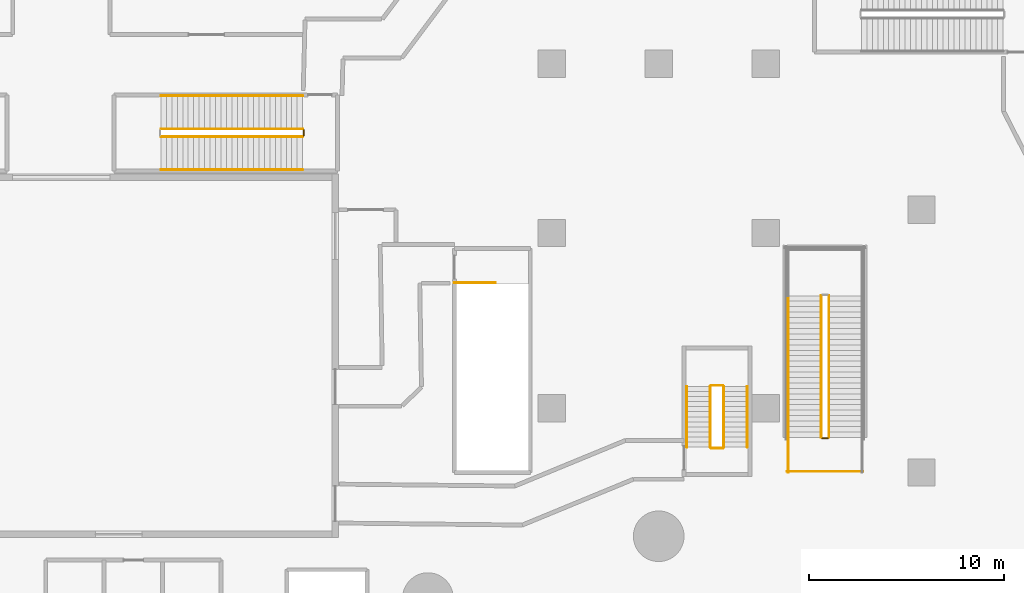
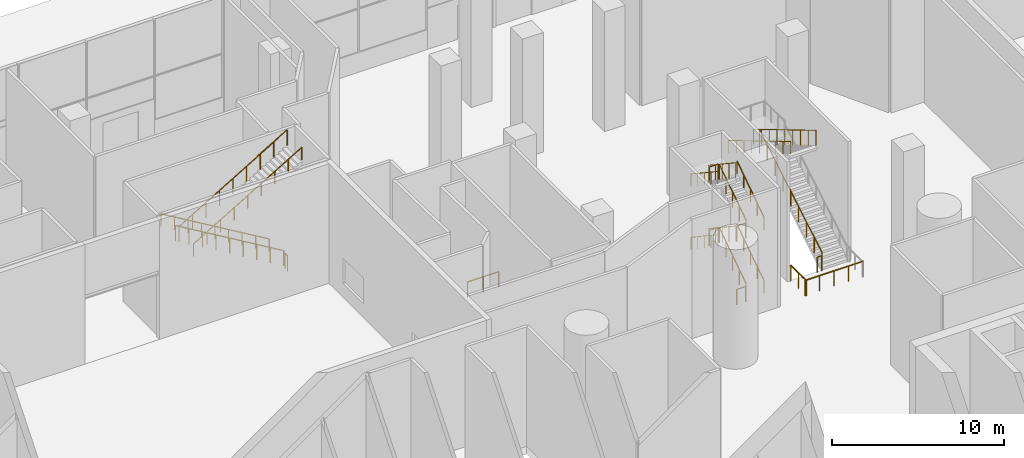
# One storey, part 48 of 54: 24 railings.
"""IFC4 building model written with IfcOpenShell, lengths in metres."""

from ifc_helpers import new_model, si_unit, direction, frame, origin, origin_2d, place, context, subcontext, project, spatial, circle, extrude, material, type_object, element, save


model = new_model("IFC4")

# Units and contexts
model_context = context("Model", 3, precision=1e-05, world=origin(), true_north=direction((0.0, 1.0)))
body_context = subcontext(model_context, "Body", "Model", "MODEL_VIEW")
ifc_project = project(units=[si_unit("LENGTHUNIT", "METRE"), si_unit("AREAUNIT", "SQUARE_METRE"), si_unit("VOLUMEUNIT", "CUBIC_METRE"), si_unit("PLANEANGLEUNIT", "RADIAN"), si_unit("MASSUNIT", "GRAM", prefix="KILO")], contexts=[model_context])

# Site, building, storey
site_placement = place(None, origin())
site = spatial("IfcSite", under=ifc_project, at=site_placement, CompositionType="ELEMENT")
building_placement = place(site_placement, origin())
building = spatial("IfcBuilding", under=site, at=building_placement, Name="Tamarind Cross Interchange Tower", CompositionType="ELEMENT")
storey_placement = place(building_placement, origin())
storey = spatial("IfcBuildingStorey", under=building, at=storey_placement, Name="L00", CompositionType="ELEMENT", Elevation=0.0)

# Railings
ifc_material_1 = material(Name="Public stair guard")
railing_type_1 = type_object("IfcRailingType", Name="Public stair guard", PredefinedType="GUARDRAIL", material=ifc_material_1)
railing_1_placement = place(storey_placement, frame((8.75, 28.800048828125, 0.166748046875)))
element("IfcRailing", 1, at=railing_1_placement, inside=storey, type_object=railing_type_1, Name="L00 PS-N stair guard 1", PredefinedType="GUARDRAIL", context=body_context, shape_type="SweptSolid", body=[
    extrude(circle(Radius=0.02392578125, at=origin_2d()), frame((0.0, 0.0, 1.076171875), z_axis=(0.0, 0.859298010897, 0.511475247171), x_axis=(-1.0, 0.0, 0.0)), (0.0, 0.0, 1.0), 8.47216796875),
    extrude(circle(Radius=0.02099609375, at=origin_2d()), origin(), (0.0, 0.0, 1.0), 1.052001953125),
    extrude(circle(Radius=0.02099609375, at=origin_2d()), frame((0.0, 0.909912109375, 0.541748046875)), (0.0, 0.0, 1.0), 1.052001953125),
    extrude(circle(Radius=0.02099609375, at=origin_2d()), frame((0.0, 1.820068359375, 1.083251953125)), (0.0, 0.0, 1.0), 1.052001953125),
    extrude(circle(Radius=0.02099609375, at=origin_2d()), frame((0.0, 2.72998046875, 1.625)), (0.0, 0.0, 1.0), 1.052001953125),
    extrude(circle(Radius=0.02099609375, at=origin_2d()), frame((0.0, 3.64013671875, 2.16650390625)), (0.0, 0.0, 1.0), 1.052001953125),
    extrude(circle(Radius=0.02099609375, at=origin_2d()), frame((0.0, 4.550048828125, 2.708251953125)), (0.0, 0.0, 1.0), 1.052001953125),
    extrude(circle(Radius=0.02099609375, at=origin_2d()), frame((0.0, 5.4599609375, 3.25)), (0.0, 0.0, 1.0), 1.052001953125),
    extrude(circle(Radius=0.02099609375, at=origin_2d()), frame((0.0, 6.3701171875, 3.79150390625)), (0.0, 0.0, 1.0), 1.052001953125),
    extrude(circle(Radius=0.02099609375, at=origin_2d()), frame((0.0, 7.280029296875, 4.333251953125)), (0.0, 0.0, 1.0), 1.052001953125),
])
railing_2_placement = place(storey_placement, frame((8.35009765625, 36.080078125, 4.666748046875)))
element("IfcRailing", 2, at=railing_2_placement, inside=storey, type_object=railing_type_1, Name="L00 PS-N stair guard 6", PredefinedType="GUARDRAIL", context=body_context, shape_type="SweptSolid", body=[
    extrude(circle(Radius=0.02392578125, at=origin_2d()), frame((0.0, 0.0, 1.076171875), z_axis=(0.0, -0.859298010897, 0.511475247171), x_axis=(1.0, 0.0, 0.0)), (0.0, 0.0, 1.0), 8.47216796875),
    extrude(circle(Radius=0.02099609375, at=origin_2d()), origin(), (0.0, 0.0, 1.0), 1.052001953125),
    extrude(circle(Radius=0.02099609375, at=origin_2d()), frame((0.0, -0.909912109375, 0.541748046875)), (0.0, 0.0, 1.0), 1.052001953125),
    extrude(circle(Radius=0.02099609375, at=origin_2d()), frame((0.0, -1.820068359375, 1.083251953125)), (0.0, 0.0, 1.0), 1.052001953125),
    extrude(circle(Radius=0.02099609375, at=origin_2d()), frame((0.0, -2.72998046875, 1.625)), (0.0, 0.0, 1.0), 1.052001953125),
    extrude(circle(Radius=0.02099609375, at=origin_2d()), frame((0.0, -3.64013671875, 2.16650390625)), (0.0, 0.0, 1.0), 1.052001953125),
    extrude(circle(Radius=0.02099609375, at=origin_2d()), frame((0.0, -4.550048828125, 2.708251953125)), (0.0, 0.0, 1.0), 1.052001953125),
    extrude(circle(Radius=0.02099609375, at=origin_2d()), frame((0.0, -5.4599609375, 3.25)), (0.0, 0.0, 1.0), 1.052001953125),
    extrude(circle(Radius=0.02099609375, at=origin_2d()), frame((0.0, -6.3701171875, 3.79150390625)), (0.0, 0.0, 1.0), 1.052001953125),
    extrude(circle(Radius=0.02099609375, at=origin_2d()), frame((0.0, -7.280029296875, 4.333251953125)), (0.0, 0.0, 1.0), 1.052001953125),
])
railing_3_placement = place(storey_placement, frame((8.699951171875, 28.75, 0.0)))
element("IfcRailing", 3, at=railing_3_placement, inside=storey, type_object=railing_type_1, Name="L00 PS-N stair guard 7", PredefinedType="GUARDRAIL", context=body_context, shape_type="SweptSolid", body=[
    extrude(circle(Radius=0.02392578125, at=origin_2d()), frame((0.0, 0.0, 1.076171875), z_axis=(-1.0, 0.0, 0.0), x_axis=(0.0, -1.0, 0.0)), (0.0, 0.0, 1.0), 0.300048828125),
    extrude(circle(Radius=0.02099609375, at=origin_2d()), origin(), (0.0, 0.0, 1.0), 1.052001953125),
    extrude(circle(Radius=0.02099609375, at=origin_2d()), frame((-0.300048828125, 0.0, 0.0)), (0.0, 0.0, 1.0), 1.052001953125),
])
railing_4_placement = place(storey_placement, frame((6.64990234375, 27.0, 0.0)))
element("IfcRailing", 4, at=railing_4_placement, inside=storey, type_object=railing_type_1, Name="L00 PS-N stair guard 9", PredefinedType="GUARDRAIL", context=body_context, shape_type="SweptSolid", body=[
    extrude(circle(Radius=0.02392578125, at=origin_2d()), frame((0.0, 0.0, 1.076171875), z_axis=(0.0, 1.0, 0.0), x_axis=(-1.0, 0.0, 0.0)), (0.0, 0.0, 1.0), 1.800048828125),
    extrude(circle(Radius=0.02099609375, at=origin_2d()), origin(), (0.0, 0.0, 1.0), 1.052001953125),
    extrude(circle(Radius=0.02099609375, at=origin_2d()), frame((0.0, 0.89990234375, 0.0)), (0.0, 0.0, 1.0), 1.052001953125),
    extrude(circle(Radius=0.02099609375, at=origin_2d()), frame((0.0, 1.800048828125, 0.0)), (0.0, 0.0, 1.0), 1.052001953125),
])
railing_5_placement = place(storey_placement, frame((10.5, 27.050048828125, 0.0)))
element("IfcRailing", 5, at=railing_5_placement, inside=storey, type_object=railing_type_1, Name="L00 PS-N stair guard 10", PredefinedType="GUARDRAIL", context=body_context, shape_type="SweptSolid", body=[
    extrude(circle(Radius=0.02392578125, at=origin_2d()), frame((0.0, 0.0, 1.076171875), z_axis=(-1.0, 0.0, 0.0), x_axis=(0.0, -1.0, 0.0)), (0.0, 0.0, 1.0), 3.89990234375),
    extrude(circle(Radius=0.02099609375, at=origin_2d()), origin(), (0.0, 0.0, 1.0), 1.052001953125),
    extrude(circle(Radius=0.02099609375, at=origin_2d()), frame((-0.97509765625, 0.0, 0.0)), (0.0, 0.0, 1.0), 1.052001953125),
    extrude(circle(Radius=0.02099609375, at=origin_2d()), frame((-1.949951171875, 0.0, 0.0)), (0.0, 0.0, 1.0), 1.052001953125),
    extrude(circle(Radius=0.02099609375, at=origin_2d()), frame((-2.9248046875, 0.0, 0.0)), (0.0, 0.0, 1.0), 1.052001953125),
    extrude(circle(Radius=0.02099609375, at=origin_2d()), frame((-3.89990234375, 0.0, 0.0)), (0.0, 0.0, 1.0), 1.052001953125),
])
railing_6_placement = place(storey_placement, frame((-18.300048828125, 44.64990234375, 0.166748046875)))
element("IfcRailing", 6, at=railing_6_placement, inside=storey, type_object=railing_type_1, Name="L00 XS-P06 stair guard 1", PredefinedType="GUARDRAIL", context=body_context, shape_type="SweptSolid", body=[
    extrude(circle(Radius=0.02392578125, at=origin_2d()), frame((0.0, 0.0, 1.076171875), z_axis=(-0.859298010897, 0.0, 0.511475247171), x_axis=(0.0, -1.0, 0.0)), (0.0, 0.0, 1.0), 8.47216796875),
    extrude(circle(Radius=0.02099609375, at=origin_2d()), origin(), (0.0, 0.0, 1.0), 1.052001953125),
    extrude(circle(Radius=0.02099609375, at=origin_2d()), frame((-0.909912109375, 0.0, 0.541748046875)), (0.0, 0.0, 1.0), 1.052001953125),
    extrude(circle(Radius=0.02099609375, at=origin_2d()), frame((-1.820068359375, 0.0, 1.083251953125)), (0.0, 0.0, 1.0), 1.052001953125),
    extrude(circle(Radius=0.02099609375, at=origin_2d()), frame((-2.72998046875, 0.0, 1.625)), (0.0, 0.0, 1.0), 1.052001953125),
    extrude(circle(Radius=0.02099609375, at=origin_2d()), frame((-3.64013671875, 0.0, 2.16650390625)), (0.0, 0.0, 1.0), 1.052001953125),
    extrude(circle(Radius=0.02099609375, at=origin_2d()), frame((-4.550048828125, 0.0, 2.708251953125)), (0.0, 0.0, 1.0), 1.052001953125),
    extrude(circle(Radius=0.02099609375, at=origin_2d()), frame((-5.4599609375, 0.0, 3.25)), (0.0, 0.0, 1.0), 1.052001953125),
    extrude(circle(Radius=0.02099609375, at=origin_2d()), frame((-6.3701171875, 0.0, 3.79150390625)), (0.0, 0.0, 1.0), 1.052001953125),
    extrude(circle(Radius=0.02099609375, at=origin_2d()), frame((-7.280029296875, 0.0, 4.333251953125)), (0.0, 0.0, 1.0), 1.052001953125),
])
railing_7_placement = place(storey_placement, frame((-25.580078125, 44.25, 4.666748046875)))
element("IfcRailing", 7, at=railing_7_placement, inside=storey, type_object=railing_type_1, Name="L00 XS-P06 stair guard 3", PredefinedType="GUARDRAIL", context=body_context, shape_type="SweptSolid", body=[
    extrude(circle(Radius=0.02392578125, at=origin_2d()), frame((0.0, 0.0, 1.076171875), z_axis=(0.859298010897, 0.0, 0.511475247171), x_axis=(0.0, 1.0, 0.0)), (0.0, 0.0, 1.0), 8.47216796875),
    extrude(circle(Radius=0.02099609375, at=origin_2d()), origin(), (0.0, 0.0, 1.0), 1.052001953125),
    extrude(circle(Radius=0.02099609375, at=origin_2d()), frame((0.909912109375, 0.0, 0.541748046875)), (0.0, 0.0, 1.0), 1.052001953125),
    extrude(circle(Radius=0.02099609375, at=origin_2d()), frame((1.820068359375, 0.0, 1.083251953125)), (0.0, 0.0, 1.0), 1.052001953125),
    extrude(circle(Radius=0.02099609375, at=origin_2d()), frame((2.72998046875, 0.0, 1.625)), (0.0, 0.0, 1.0), 1.052001953125),
    extrude(circle(Radius=0.02099609375, at=origin_2d()), frame((3.64013671875, 0.0, 2.16650390625)), (0.0, 0.0, 1.0), 1.052001953125),
    extrude(circle(Radius=0.02099609375, at=origin_2d()), frame((4.550048828125, 0.0, 2.708251953125)), (0.0, 0.0, 1.0), 1.052001953125),
    extrude(circle(Radius=0.02099609375, at=origin_2d()), frame((5.4599609375, 0.0, 3.25)), (0.0, 0.0, 1.0), 1.052001953125),
    extrude(circle(Radius=0.02099609375, at=origin_2d()), frame((6.3701171875, 0.0, 3.79150390625)), (0.0, 0.0, 1.0), 1.052001953125),
    extrude(circle(Radius=0.02099609375, at=origin_2d()), frame((7.280029296875, 0.0, 4.333251953125)), (0.0, 0.0, 1.0), 1.052001953125),
])
railing_8_placement = place(storey_placement, frame((-18.25, 44.60009765625, 0.0)))
element("IfcRailing", 8, at=railing_8_placement, inside=storey, type_object=railing_type_1, Name="L00 XS-P06 stair guard 4", PredefinedType="GUARDRAIL", context=body_context, shape_type="SweptSolid", body=[
    extrude(circle(Radius=0.02392578125, at=origin_2d()), frame((0.0, 0.0, 1.076171875), z_axis=(0.0, -1.0, 0.0), x_axis=(1.0, 0.0, 0.0)), (0.0, 0.0, 1.0), 0.300048828125),
    extrude(circle(Radius=0.02099609375, at=origin_2d()), origin(), (0.0, 0.0, 1.0), 1.052001953125),
    extrude(circle(Radius=0.02099609375, at=origin_2d()), frame((0.0, -0.300048828125, 0.0)), (0.0, 0.0, 1.0), 1.052001953125),
])
railing_9_placement = place(storey_placement, frame((-10.5, 36.75, 0.0)))
element("IfcRailing", 9, at=railing_9_placement, inside=storey, type_object=railing_type_1, Name="L00 XS-P13 top well guard 1", PredefinedType="GUARDRAIL", context=body_context, shape_type="SweptSolid", body=[
    extrude(circle(Radius=0.02392578125, at=origin_2d()), frame((0.0, 0.0, 1.076171875), z_axis=(1.0, 0.0, 0.0), x_axis=(0.0, 1.0, 0.0)), (0.0, 0.0, 1.0), 2.10009765625),
    extrude(circle(Radius=0.02099609375, at=origin_2d()), origin(), (0.0, 0.0, 1.0), 1.052001953125),
    extrude(circle(Radius=0.02099609375, at=origin_2d()), frame((1.050048828125, 0.0, 0.0)), (0.0, 0.0, 1.0), 1.052001953125),
    extrude(circle(Radius=0.02099609375, at=origin_2d()), frame((2.10009765625, 0.0, 0.0)), (0.0, 0.0, 1.0), 1.052001953125),
])
ifc_material_2 = material(Name="Public stair handrail")
railing_type_2 = type_object("IfcRailingType", Name="Public stair handrail", PredefinedType="HANDRAIL", material=ifc_material_2)
railing_10_placement = place(storey_placement, frame((6.64990234375, 36.080078125, 4.666748046875)))
element("IfcRailing", 10, at=railing_10_placement, inside=storey, type_object=railing_type_2, Name="L00 PS-N stair handrail 2", PredefinedType="HANDRAIL", context=body_context, shape_type="SweptSolid", body=[
    extrude(circle(Radius=0.02392578125, at=origin_2d()), frame((0.0, 0.0, 0.8759765625), z_axis=(0.0, -0.859298010897, 0.511475247171), x_axis=(1.0, 0.0, 0.0)), (0.0, 0.0, 1.0), 8.47216796875),
    extrude(circle(Radius=0.02099609375, at=origin_2d()), origin(), (0.0, 0.0, 1.0), 0.851806640625),
    extrude(circle(Radius=0.02099609375, at=origin_2d()), frame((0.0, -0.909912109375, 0.541748046875)), (0.0, 0.0, 1.0), 0.851806640625),
    extrude(circle(Radius=0.02099609375, at=origin_2d()), frame((0.0, -1.820068359375, 1.083251953125)), (0.0, 0.0, 1.0), 0.851806640625),
    extrude(circle(Radius=0.02099609375, at=origin_2d()), frame((0.0, -2.72998046875, 1.625)), (0.0, 0.0, 1.0), 0.851806640625),
    extrude(circle(Radius=0.02099609375, at=origin_2d()), frame((0.0, -3.64013671875, 2.16650390625)), (0.0, 0.0, 1.0), 0.851806640625),
    extrude(circle(Radius=0.02099609375, at=origin_2d()), frame((0.0, -4.550048828125, 2.708251953125)), (0.0, 0.0, 1.0), 0.851806640625),
    extrude(circle(Radius=0.02099609375, at=origin_2d()), frame((0.0, -5.4599609375, 3.25)), (0.0, 0.0, 1.0), 0.851806640625),
    extrude(circle(Radius=0.02099609375, at=origin_2d()), frame((0.0, -6.3701171875, 3.79150390625)), (0.0, 0.0, 1.0), 0.851806640625),
    extrude(circle(Radius=0.02099609375, at=origin_2d()), frame((0.0, -7.280029296875, 4.333251953125)), (0.0, 0.0, 1.0), 0.851806640625),
])
railing_11_placement = place(storey_placement, frame((-18.300048828125, 46.35009765625, 0.166748046875)))
element("IfcRailing", 11, at=railing_11_placement, inside=storey, type_object=railing_type_2, Name="L00 XS-P06 stair handrail 1", PredefinedType="HANDRAIL", context=body_context, shape_type="SweptSolid", body=[
    extrude(circle(Radius=0.02392578125, at=origin_2d()), frame((0.0, 0.0, 0.8759765625), z_axis=(-0.859298010897, 0.0, 0.511475247171), x_axis=(0.0, -1.0, 0.0)), (0.0, 0.0, 1.0), 8.47216796875),
    extrude(circle(Radius=0.02099609375, at=origin_2d()), origin(), (0.0, 0.0, 1.0), 0.851806640625),
    extrude(circle(Radius=0.02099609375, at=origin_2d()), frame((-0.909912109375, 0.0, 0.541748046875)), (0.0, 0.0, 1.0), 0.851806640625),
    extrude(circle(Radius=0.02099609375, at=origin_2d()), frame((-1.820068359375, 0.0, 1.083251953125)), (0.0, 0.0, 1.0), 0.851806640625),
    extrude(circle(Radius=0.02099609375, at=origin_2d()), frame((-2.72998046875, 0.0, 1.625)), (0.0, 0.0, 1.0), 0.851806640625),
    extrude(circle(Radius=0.02099609375, at=origin_2d()), frame((-3.64013671875, 0.0, 2.16650390625)), (0.0, 0.0, 1.0), 0.851806640625),
    extrude(circle(Radius=0.02099609375, at=origin_2d()), frame((-4.550048828125, 0.0, 2.708251953125)), (0.0, 0.0, 1.0), 0.851806640625),
    extrude(circle(Radius=0.02099609375, at=origin_2d()), frame((-5.4599609375, 0.0, 3.25)), (0.0, 0.0, 1.0), 0.851806640625),
    extrude(circle(Radius=0.02099609375, at=origin_2d()), frame((-6.3701171875, 0.0, 3.79150390625)), (0.0, 0.0, 1.0), 0.851806640625),
    extrude(circle(Radius=0.02099609375, at=origin_2d()), frame((-7.280029296875, 0.0, 4.333251953125)), (0.0, 0.0, 1.0), 0.851806640625),
])
railing_12_placement = place(storey_placement, frame((-25.580078125, 42.550048828125, 4.666748046875)))
element("IfcRailing", 12, at=railing_12_placement, inside=storey, type_object=railing_type_2, Name="L00 XS-P06 stair handrail 2", PredefinedType="HANDRAIL", context=body_context, shape_type="SweptSolid", body=[
    extrude(circle(Radius=0.02392578125, at=origin_2d()), frame((0.0, 0.0, 0.8759765625), z_axis=(0.859298010897, 0.0, 0.511475247171), x_axis=(0.0, 1.0, 0.0)), (0.0, 0.0, 1.0), 8.47216796875),
    extrude(circle(Radius=0.02099609375, at=origin_2d()), origin(), (0.0, 0.0, 1.0), 0.851806640625),
    extrude(circle(Radius=0.02099609375, at=origin_2d()), frame((0.909912109375, 0.0, 0.541748046875)), (0.0, 0.0, 1.0), 0.851806640625),
    extrude(circle(Radius=0.02099609375, at=origin_2d()), frame((1.820068359375, 0.0, 1.083251953125)), (0.0, 0.0, 1.0), 0.851806640625),
    extrude(circle(Radius=0.02099609375, at=origin_2d()), frame((2.72998046875, 0.0, 1.625)), (0.0, 0.0, 1.0), 0.851806640625),
    extrude(circle(Radius=0.02099609375, at=origin_2d()), frame((3.64013671875, 0.0, 2.16650390625)), (0.0, 0.0, 1.0), 0.851806640625),
    extrude(circle(Radius=0.02099609375, at=origin_2d()), frame((4.550048828125, 0.0, 2.708251953125)), (0.0, 0.0, 1.0), 0.851806640625),
    extrude(circle(Radius=0.02099609375, at=origin_2d()), frame((5.4599609375, 0.0, 3.25)), (0.0, 0.0, 1.0), 0.851806640625),
    extrude(circle(Radius=0.02099609375, at=origin_2d()), frame((6.3701171875, 0.0, 3.79150390625)), (0.0, 0.0, 1.0), 0.851806640625),
    extrude(circle(Radius=0.02099609375, at=origin_2d()), frame((7.280029296875, 0.0, 4.333251953125)), (0.0, 0.0, 1.0), 0.851806640625),
])
ifc_material_3 = material(Name="Stair guard")
railing_type_3 = type_object("IfcRailingType", Name="Stair guard", PredefinedType="GUARDRAIL", material=ifc_material_3)
railing_13_placement = place(storey_placement, frame((3.35009765625, 28.300048828125, 0.173095703125)))
element("IfcRailing", 13, at=railing_13_placement, inside=storey, type_object=railing_type_3, Name="L00 ST4 stair guard 1", PredefinedType="GUARDRAIL", context=body_context, shape_type="SweptSolid", body=[
    extrude(circle(Radius=0.02392578125, at=origin_2d()), frame((0.0, 0.0, 1.076171875), z_axis=(0.0, 0.832420903958, 0.554143879018), x_axis=(-1.0, 0.0, 0.0)), (0.0, 0.0, 1.0), 3.748046875),
    extrude(circle(Radius=0.02099609375, at=origin_2d()), origin(), (0.0, 0.0, 1.0), 1.052001953125),
    extrude(circle(Radius=0.02099609375, at=origin_2d()), frame((0.0, 0.780029296875, 0.519287109375)), (0.0, 0.0, 1.0), 1.052001953125),
    extrude(circle(Radius=0.02099609375, at=origin_2d()), frame((0.0, 1.56005859375, 1.03857421875)), (0.0, 0.0, 1.0), 1.052001953125),
    extrude(circle(Radius=0.02099609375, at=origin_2d()), frame((0.0, 2.33984375, 1.5576171875)), (0.0, 0.0, 1.0), 1.052001953125),
    extrude(circle(Radius=0.02099609375, at=origin_2d()), frame((0.0, 3.119873046875, 2.076904296875)), (0.0, 0.0, 1.0), 1.052001953125),
])
railing_14_placement = place(storey_placement, frame((3.300048828125, 31.469970703125, 2.25)))
element("IfcRailing", 14, at=railing_14_placement, inside=storey, type_object=railing_type_3, Name="L00 ST4 stair guard 2", PredefinedType="GUARDRAIL", context=body_context, shape_type="SweptSolid", body=[
    extrude(circle(Radius=0.02392578125, at=origin_2d()), frame((0.0, 0.0, 1.076171875), z_axis=(-1.0, 0.0, 0.0), x_axis=(0.0, -1.0, 0.0)), (0.0, 0.0, 1.0), 0.60009765625),
    extrude(circle(Radius=0.02099609375, at=origin_2d()), origin(), (0.0, 0.0, 1.0), 1.052001953125),
    extrude(circle(Radius=0.02099609375, at=origin_2d()), frame((-0.60009765625, 0.0, 0.0)), (0.0, 0.0, 1.0), 1.052001953125),
])
railing_15_placement = place(storey_placement, frame((2.64990234375, 31.419921875, 2.423095703125)))
element("IfcRailing", 15, at=railing_15_placement, inside=storey, type_object=railing_type_3, Name="L00 ST4 stair guard 3", PredefinedType="GUARDRAIL", context=body_context, shape_type="SweptSolid", body=[
    extrude(circle(Radius=0.02392578125, at=origin_2d()), frame((0.0, 0.0, 1.076171875), z_axis=(0.0, -0.832420903958, 0.554143879018), x_axis=(1.0, 0.0, 0.0)), (0.0, 0.0, 1.0), 3.748046875),
    extrude(circle(Radius=0.02099609375, at=origin_2d()), origin(), (0.0, 0.0, 1.0), 1.052001953125),
    extrude(circle(Radius=0.02099609375, at=origin_2d()), frame((0.0, -0.780029296875, 0.519287109375)), (0.0, 0.0, 1.0), 1.052001953125),
    extrude(circle(Radius=0.02099609375, at=origin_2d()), frame((0.0, -1.56005859375, 1.03857421875)), (0.0, 0.0, 1.0), 1.052001953125),
    extrude(circle(Radius=0.02099609375, at=origin_2d()), frame((0.0, -2.33984375, 1.5576171875)), (0.0, 0.0, 1.0), 1.052001953125),
    extrude(circle(Radius=0.02099609375, at=origin_2d()), frame((0.0, -3.119873046875, 2.076904296875)), (0.0, 0.0, 1.0), 1.052001953125),
])
railing_16_placement = place(storey_placement, frame((3.300048828125, 28.25, 4.5)))
element("IfcRailing", 16, at=railing_16_placement, inside=storey, type_object=railing_type_3, Name="L00 ST4 stair guard 4", PredefinedType="GUARDRAIL", context=body_context, shape_type="SweptSolid", body=[
    extrude(circle(Radius=0.02392578125, at=origin_2d()), frame((0.0, 0.0, 1.076171875), z_axis=(-1.0, 0.0, 0.0), x_axis=(0.0, -1.0, 0.0)), (0.0, 0.0, 1.0), 0.60009765625),
    extrude(circle(Radius=0.02099609375, at=origin_2d()), origin(), (0.0, 0.0, 1.0), 1.052001953125),
    extrude(circle(Radius=0.02099609375, at=origin_2d()), frame((-0.60009765625, 0.0, 0.0)), (0.0, 0.0, 1.0), 1.052001953125),
])
railing_17_placement = place(storey_placement, frame((3.35009765625, 28.300048828125, 4.673095703125)))
element("IfcRailing", 17, at=railing_17_placement, inside=storey, type_object=railing_type_3, Name="L00 ST4 stair guard 5", PredefinedType="GUARDRAIL", context=body_context, shape_type="SweptSolid", body=[
    extrude(circle(Radius=0.02392578125, at=origin_2d()), frame((0.0, 0.0, 1.076171875), z_axis=(0.0, 0.832420903958, 0.554143879018), x_axis=(-1.0, 0.0, 0.0)), (0.0, 0.0, 1.0), 3.748046875),
    extrude(circle(Radius=0.02099609375, at=origin_2d()), origin(), (0.0, 0.0, 1.0), 1.052001953125),
    extrude(circle(Radius=0.02099609375, at=origin_2d()), frame((0.0, 0.780029296875, 0.519287109375)), (0.0, 0.0, 1.0), 1.052001953125),
    extrude(circle(Radius=0.02099609375, at=origin_2d()), frame((0.0, 1.56005859375, 1.03857421875)), (0.0, 0.0, 1.0), 1.052001953125),
    extrude(circle(Radius=0.02099609375, at=origin_2d()), frame((0.0, 2.33984375, 1.5576171875)), (0.0, 0.0, 1.0), 1.052001953125),
    extrude(circle(Radius=0.02099609375, at=origin_2d()), frame((0.0, 3.119873046875, 2.076904296875)), (0.0, 0.0, 1.0), 1.052001953125),
])
railing_18_placement = place(storey_placement, frame((3.300048828125, 31.469970703125, 6.75)))
element("IfcRailing", 18, at=railing_18_placement, inside=storey, type_object=railing_type_3, Name="L00 ST4 stair guard 6", PredefinedType="GUARDRAIL", context=body_context, shape_type="SweptSolid", body=[
    extrude(circle(Radius=0.02392578125, at=origin_2d()), frame((0.0, 0.0, 1.076171875), z_axis=(-1.0, 0.0, 0.0), x_axis=(0.0, -1.0, 0.0)), (0.0, 0.0, 1.0), 0.60009765625),
    extrude(circle(Radius=0.02099609375, at=origin_2d()), origin(), (0.0, 0.0, 1.0), 1.052001953125),
    extrude(circle(Radius=0.02099609375, at=origin_2d()), frame((-0.60009765625, 0.0, 0.0)), (0.0, 0.0, 1.0), 1.052001953125),
])
railing_19_placement = place(storey_placement, frame((2.64990234375, 31.419921875, 6.923095703125)))
element("IfcRailing", 19, at=railing_19_placement, inside=storey, type_object=railing_type_3, Name="L00 ST4 stair guard 7", PredefinedType="GUARDRAIL", context=body_context, shape_type="SweptSolid", body=[
    extrude(circle(Radius=0.02392578125, at=origin_2d()), frame((0.0, 0.0, 1.076171875), z_axis=(0.0, -0.832420903958, 0.554143879018), x_axis=(1.0, 0.0, 0.0)), (0.0, 0.0, 1.0), 3.748046875),
    extrude(circle(Radius=0.02099609375, at=origin_2d()), origin(), (0.0, 0.0, 1.0), 1.052001953125),
    extrude(circle(Radius=0.02099609375, at=origin_2d()), frame((0.0, -0.780029296875, 0.519287109375)), (0.0, 0.0, 1.0), 1.052001953125),
    extrude(circle(Radius=0.02099609375, at=origin_2d()), frame((0.0, -1.56005859375, 1.03857421875)), (0.0, 0.0, 1.0), 1.052001953125),
    extrude(circle(Radius=0.02099609375, at=origin_2d()), frame((0.0, -2.33984375, 1.5576171875)), (0.0, 0.0, 1.0), 1.052001953125),
    extrude(circle(Radius=0.02099609375, at=origin_2d()), frame((0.0, -3.119873046875, 2.076904296875)), (0.0, 0.0, 1.0), 1.052001953125),
])
railing_20_placement = place(storey_placement, frame((3.300048828125, 28.25, 0.0)))
element("IfcRailing", 20, at=railing_20_placement, inside=storey, type_object=railing_type_3, Name="L00 ST4 stair guard 8", PredefinedType="GUARDRAIL", context=body_context, shape_type="SweptSolid", body=[
    extrude(circle(Radius=0.02392578125, at=origin_2d()), frame((0.0, 0.0, 1.076171875), z_axis=(-1.0, 0.0, 0.0), x_axis=(0.0, -1.0, 0.0)), (0.0, 0.0, 1.0), 0.60009765625),
    extrude(circle(Radius=0.02099609375, at=origin_2d()), origin(), (0.0, 0.0, 1.0), 1.052001953125),
    extrude(circle(Radius=0.02099609375, at=origin_2d()), frame((-0.60009765625, 0.0, 0.0)), (0.0, 0.0, 1.0), 1.052001953125),
])
ifc_material_4 = material(Name="Stair handrail")
railing_type_4 = type_object("IfcRailingType", Name="Stair handrail", PredefinedType="HANDRAIL", material=ifc_material_4)
railing_21_placement = place(storey_placement, frame((4.550048828125, 28.300048828125, 0.173095703125)))
element("IfcRailing", 21, at=railing_21_placement, inside=storey, type_object=railing_type_4, Name="L00 ST4 stair handrail 1", PredefinedType="HANDRAIL", context=body_context, shape_type="SweptSolid", body=[
    extrude(circle(Radius=0.02392578125, at=origin_2d()), frame((0.0, 0.0, 0.8759765625), z_axis=(0.0, 0.832420903958, 0.554143879018), x_axis=(-1.0, 0.0, 0.0)), (0.0, 0.0, 1.0), 3.748046875),
    extrude(circle(Radius=0.02099609375, at=origin_2d()), origin(), (0.0, 0.0, 1.0), 0.851806640625),
    extrude(circle(Radius=0.02099609375, at=origin_2d()), frame((0.0, 0.780029296875, 0.519287109375)), (0.0, 0.0, 1.0), 0.851806640625),
    extrude(circle(Radius=0.02099609375, at=origin_2d()), frame((0.0, 1.56005859375, 1.03857421875)), (0.0, 0.0, 1.0), 0.851806640625),
    extrude(circle(Radius=0.02099609375, at=origin_2d()), frame((0.0, 2.33984375, 1.5576171875)), (0.0, 0.0, 1.0), 0.851806640625),
    extrude(circle(Radius=0.02099609375, at=origin_2d()), frame((0.0, 3.119873046875, 2.076904296875)), (0.0, 0.0, 1.0), 0.851806640625),
])
railing_22_placement = place(storey_placement, frame((1.449951171875, 31.419921875, 2.423095703125)))
element("IfcRailing", 22, at=railing_22_placement, inside=storey, type_object=railing_type_4, Name="L00 ST4 stair handrail 2", PredefinedType="HANDRAIL", context=body_context, shape_type="SweptSolid", body=[
    extrude(circle(Radius=0.02392578125, at=origin_2d()), frame((0.0, 0.0, 0.8759765625), z_axis=(0.0, -0.832420903958, 0.554143879018), x_axis=(1.0, 0.0, 0.0)), (0.0, 0.0, 1.0), 3.748046875),
    extrude(circle(Radius=0.02099609375, at=origin_2d()), origin(), (0.0, 0.0, 1.0), 0.851806640625),
    extrude(circle(Radius=0.02099609375, at=origin_2d()), frame((0.0, -0.780029296875, 0.519287109375)), (0.0, 0.0, 1.0), 0.851806640625),
    extrude(circle(Radius=0.02099609375, at=origin_2d()), frame((0.0, -1.56005859375, 1.03857421875)), (0.0, 0.0, 1.0), 0.851806640625),
    extrude(circle(Radius=0.02099609375, at=origin_2d()), frame((0.0, -2.33984375, 1.5576171875)), (0.0, 0.0, 1.0), 0.851806640625),
    extrude(circle(Radius=0.02099609375, at=origin_2d()), frame((0.0, -3.119873046875, 2.076904296875)), (0.0, 0.0, 1.0), 0.851806640625),
])
railing_23_placement = place(storey_placement, frame((4.550048828125, 28.300048828125, 4.673095703125)))
element("IfcRailing", 23, at=railing_23_placement, inside=storey, type_object=railing_type_4, Name="L00 ST4 stair handrail 3", PredefinedType="HANDRAIL", context=body_context, shape_type="SweptSolid", body=[
    extrude(circle(Radius=0.02392578125, at=origin_2d()), frame((0.0, 0.0, 0.8759765625), z_axis=(0.0, 0.832420903958, 0.554143879018), x_axis=(-1.0, 0.0, 0.0)), (0.0, 0.0, 1.0), 3.748046875),
    extrude(circle(Radius=0.02099609375, at=origin_2d()), origin(), (0.0, 0.0, 1.0), 0.851806640625),
    extrude(circle(Radius=0.02099609375, at=origin_2d()), frame((0.0, 0.780029296875, 0.519287109375)), (0.0, 0.0, 1.0), 0.851806640625),
    extrude(circle(Radius=0.02099609375, at=origin_2d()), frame((0.0, 1.56005859375, 1.03857421875)), (0.0, 0.0, 1.0), 0.851806640625),
    extrude(circle(Radius=0.02099609375, at=origin_2d()), frame((0.0, 2.33984375, 1.5576171875)), (0.0, 0.0, 1.0), 0.851806640625),
    extrude(circle(Radius=0.02099609375, at=origin_2d()), frame((0.0, 3.119873046875, 2.076904296875)), (0.0, 0.0, 1.0), 0.851806640625),
])
railing_24_placement = place(storey_placement, frame((1.449951171875, 31.419921875, 6.923095703125)))
element("IfcRailing", 24, at=railing_24_placement, inside=storey, type_object=railing_type_4, Name="L00 ST4 stair handrail 4", PredefinedType="HANDRAIL", context=body_context, shape_type="SweptSolid", body=[
    extrude(circle(Radius=0.02392578125, at=origin_2d()), frame((0.0, 0.0, 0.8759765625), z_axis=(0.0, -0.832420903958, 0.554143879018), x_axis=(1.0, 0.0, 0.0)), (0.0, 0.0, 1.0), 3.748046875),
    extrude(circle(Radius=0.02099609375, at=origin_2d()), origin(), (0.0, 0.0, 1.0), 0.851806640625),
    extrude(circle(Radius=0.02099609375, at=origin_2d()), frame((0.0, -0.780029296875, 0.519287109375)), (0.0, 0.0, 1.0), 0.851806640625),
    extrude(circle(Radius=0.02099609375, at=origin_2d()), frame((0.0, -1.56005859375, 1.03857421875)), (0.0, 0.0, 1.0), 0.851806640625),
    extrude(circle(Radius=0.02099609375, at=origin_2d()), frame((0.0, -2.33984375, 1.5576171875)), (0.0, 0.0, 1.0), 0.851806640625),
    extrude(circle(Radius=0.02099609375, at=origin_2d()), frame((0.0, -3.119873046875, 2.076904296875)), (0.0, 0.0, 1.0), 0.851806640625),
])

save(model, "model.ifc")
